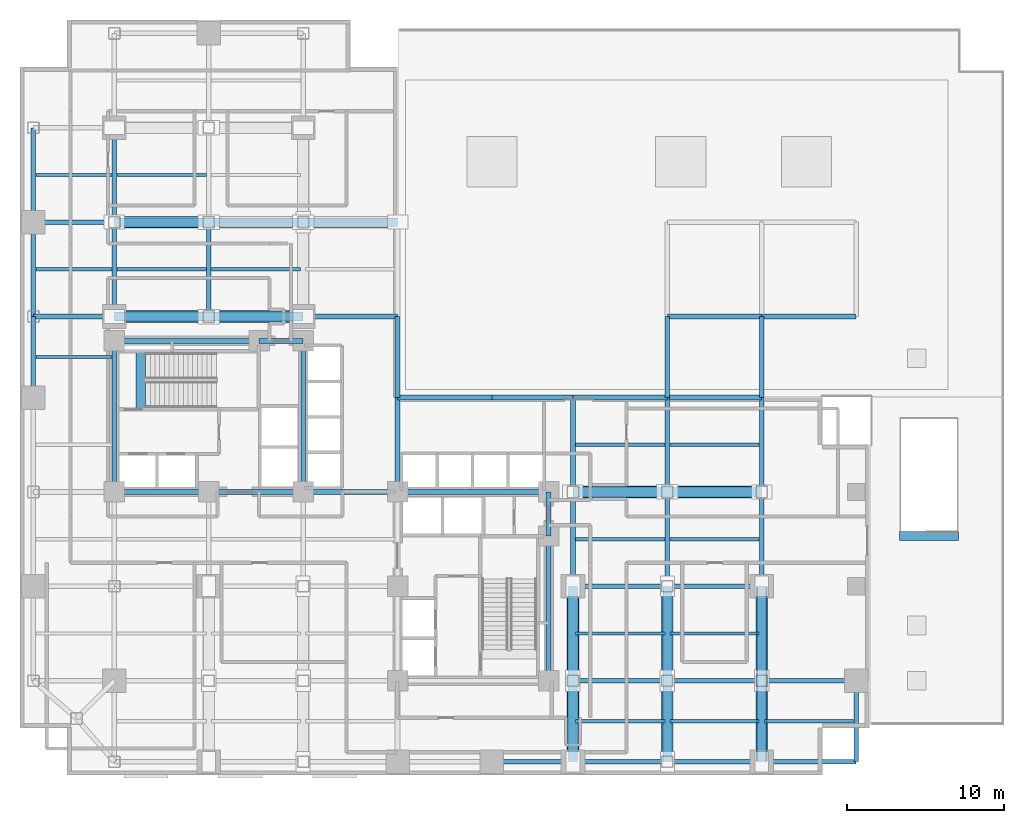
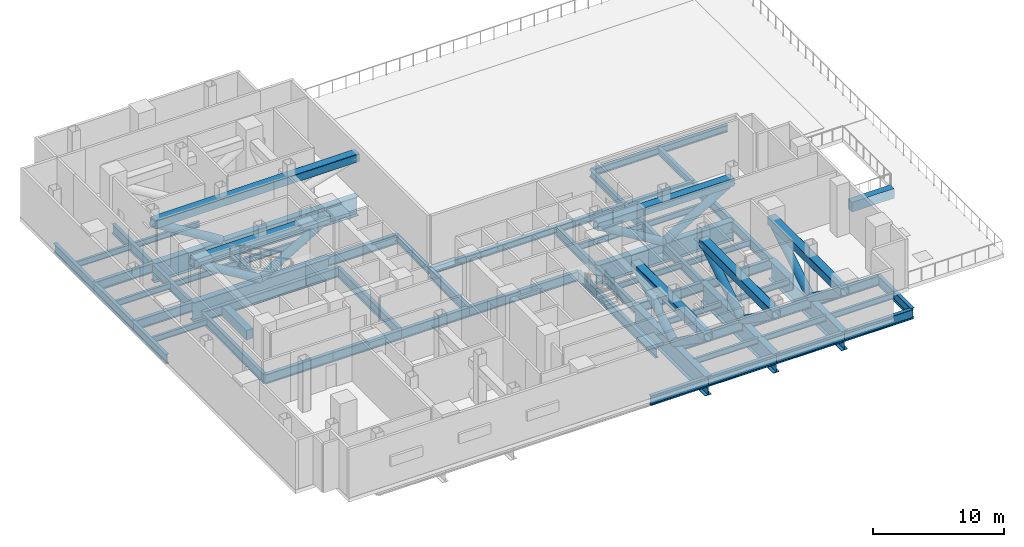
# One storey, part 2 of 8: 68 beams, 17 members.
"""IFC4 building model written with IfcOpenShell, lengths in metres."""

from ifc_helpers import new_model, si_unit, direction, frame, origin, origin_2d, place, context, subcontext, project, spatial, rectangle, hollow_rectangle, hollow_circle, i_section, extrude, material, material_profile, profile_set, type_object, element, save


model = new_model("IFC4")

# Units and contexts
model_context = context("Model", 3, precision=1e-05, world=origin(), true_north=direction((0.0, 1.0)))
body_context = subcontext(model_context, "Body", "Model", "MODEL_VIEW")
ifc_project = project(units=[si_unit("LENGTHUNIT", "METRE"), si_unit("AREAUNIT", "SQUARE_METRE"), si_unit("VOLUMEUNIT", "CUBIC_METRE"), si_unit("PLANEANGLEUNIT", "RADIAN"), si_unit("MASSUNIT", "GRAM", prefix="KILO"), si_unit("THERMODYNAMICTEMPERATUREUNIT", "KELVIN"), si_unit("POWERUNIT", "WATT")], contexts=[model_context])

# Site, building, storey
site_placement = place(None, origin())
site = spatial("IfcSite", under=ifc_project, at=site_placement, CompositionType="ELEMENT")
building_placement = place(site_placement, origin())
building = spatial("IfcBuilding", under=site, at=building_placement, Name="Svarakhadi Broadcast Tower", CompositionType="ELEMENT")
storey_placement = place(building_placement, frame((0.0, 0.0, 27.60009765625)))
storey = spatial("IfcBuildingStorey", under=building, at=storey_placement, Name="L05", CompositionType="ELEMENT", Elevation=27.60009765625)

# Beams
ifc_material_1 = material(Name="Steel S355J2 (IS 2062 E350C)", Category="steel")
ifc_material_profile_1 = material_profile(ifc_material_1, i_section(OverallWidth=0.2099609375, OverallDepth=0.550048828125, WebThickness=0.010986328125, FlangeThickness=0.01708984375, FilletRadius=0.02392578125, at=origin_2d()), Name="NPB 550x210x106")
ifc_profile_set_1 = profile_set([ifc_material_profile_1], Name="Steel S355J2 (IS 2062 E350C)")
beam_type_1 = type_object("IfcBeamType", Name="Beam_NPB550", PredefinedType="BEAM", material=ifc_profile_set_1)
for number, where, z_axis, x_axis, name in (
    (1, (1.010009765625, 26.574951171875, -0.625), (1.0, 0.0, 0.0), (0.0, 1.0, 0.0), "L05 Secondary Composite Beam SB004"),
    (2, (1.010009765625, 32.14990234375, -0.625), (1.0, 0.0, 0.0), (0.0, 1.0, 0.0), "L05 Secondary Composite Beam SB005"),
    (3, (1.010009765625, 38.14990234375, -0.625), (1.0, 0.0, 0.0), (0.0, 1.0, 0.0), "L05 Secondary Composite Beam SB006"),
):
    element("IfcBeam", number, at=place(storey_placement, frame(where, z_axis=z_axis, x_axis=x_axis)), inside=storey, type_object=beam_type_1, Name=name, PredefinedType="BEAM", context=body_context, shape_type="SweptSolid", body=[
        extrude(i_section(OverallWidth=0.2099609375, OverallDepth=0.550048828125, WebThickness=0.010986328125, FlangeThickness=0.01708984375, FilletRadius=0.02392578125, at=origin_2d()), origin(), (0.0, 0.0, 1.0), 4.830078125),
    ])
for number, where, z_axis, x_axis, name in (
    (4, (6.159912109375, 32.14990234375, -0.625), (1.0, 0.0, 0.0), (0.0, 1.0, 0.0), "L05 Secondary Composite Beam SB010"),
    (5, (6.159912109375, 38.14990234375, -0.625), (1.0, 0.0, 0.0), (0.0, 1.0, 0.0), "L05 Secondary Composite Beam SB011"),
    (6, (12.159912109375, 32.14990234375, -0.625), (1.0, 0.0, 0.0), (0.0, 1.0, 0.0), "L05 Secondary Composite Beam SB016"),
):
    element("IfcBeam", number, at=place(storey_placement, frame(where, z_axis=z_axis, x_axis=x_axis)), inside=storey, type_object=beam_type_1, Name=name, PredefinedType="BEAM", context=body_context, shape_type="SweptSolid", body=[
        extrude(i_section(OverallWidth=0.2099609375, OverallDepth=0.550048828125, WebThickness=0.010986328125, FlangeThickness=0.01708984375, FilletRadius=0.02392578125, at=origin_2d()), origin(), (0.0, 0.0, 1.0), 5.68017578125),
    ])
for number, where, z_axis, x_axis, name in (
    (7, (35.31005859375, 3.425048828125, -0.625), (1.0, 0.0, 0.0), (0.0, 1.0, 0.0), "L05 Secondary Composite Beam SB023"),
    (8, (35.31005859375, 9.0, -0.625), (1.0, 0.0, 0.0), (0.0, 1.0, 0.0), "L05 Secondary Composite Beam SB024"),
    (9, (35.31005859375, 15.0, -0.625), (1.0, 0.0, 0.0), (0.0, 1.0, 0.0), "L05 Secondary Composite Beam SB025"),
    (10, (35.31005859375, 21.0, -0.625), (1.0, 0.0, 0.0), (0.0, 1.0, 0.0), "L05 Secondary Composite Beam SB026"),
    (11, (41.31005859375, 3.425048828125, -0.625), (1.0, 0.0, 0.0), (0.0, 1.0, 0.0), "L05 Secondary Composite Beam SB027"),
    (12, (41.31005859375, 9.0, -0.625), (1.0, 0.0, 0.0), (0.0, 1.0, 0.0), "L05 Secondary Composite Beam SB028"),
    (13, (41.31005859375, 15.0, -0.625), (1.0, 0.0, 0.0), (0.0, 1.0, 0.0), "L05 Secondary Composite Beam SB029"),
    (14, (41.31005859375, 21.0, -0.625), (1.0, 0.0, 0.0), (0.0, 1.0, 0.0), "L05 Secondary Composite Beam SB030"),
    (15, (47.31005859375, 3.425048828125, -0.625), (1.0, 0.0, 0.0), (0.0, 1.0, 0.0), "L05 Secondary Composite Beam SB031"),
):
    element("IfcBeam", number, at=place(storey_placement, frame(where, z_axis=z_axis, x_axis=x_axis)), inside=storey, type_object=beam_type_1, Name=name, PredefinedType="BEAM", context=body_context, shape_type="SweptSolid", body=[
        extrude(i_section(OverallWidth=0.2099609375, OverallDepth=0.550048828125, WebThickness=0.010986328125, FlangeThickness=0.01708984375, FilletRadius=0.02392578125, at=origin_2d()), origin(), (0.0, 0.0, 1.0), 5.679931640625),
    ])
ifc_material_2 = material(Name="Concrete C50/60 (IS 456 M60)", Category="concrete")
ifc_material_profile_2 = material_profile(ifc_material_2, rectangle(XDim=0.60009765625, YDim=0.89990234375, at=origin_2d()), Name="RC 600x900")
ifc_profile_set_2 = profile_set([ifc_material_profile_2], Name="Concrete C50/60 (IS 456 M60)")
beam_type_2 = type_object("IfcBeamType", Name="Coupling_RC600", PredefinedType="USERDEFINED", material=ifc_profile_set_2)
beam_1_placement = place(storey_placement, frame((7.679931640625, 23.260009765625, -0.4501953125), z_axis=(0.0, 1.0, 0.0), x_axis=(-1.0, 0.0, 0.0)))
element("IfcBeam", 16, at=beam_1_placement, inside=storey, type_object=beam_type_2, Name="L05 Stair ST-01 Landing Throat Trimmer Beam CB-01", ObjectType="GIRDER", PredefinedType="USERDEFINED", context=body_context, shape_type="SweptSolid", body=[
    extrude(rectangle(XDim=0.60009765625, YDim=0.89990234375, at=origin_2d()), origin(), (0.0, 0.0, 1.0), 3.679931640625),
])
beam_2_placement = place(storey_placement, frame((55.89990234375, 15.199951171875, -0.4501953125), z_axis=(1.0, 0.0, 0.0), x_axis=(0.0, 1.0, 0.0)))
element("IfcBeam", 17, at=beam_2_placement, inside=storey, type_object=beam_type_2, Name="L05 Stair ST-04 Landing Throat Trimmer Beam CB-01", ObjectType="GIRDER", PredefinedType="USERDEFINED", context=body_context, shape_type="SweptSolid", body=[
    extrude(rectangle(XDim=0.60009765625, YDim=0.89990234375, at=origin_2d()), origin(), (0.0, 0.0, 1.0), 3.760009765625),
])
ifc_material_profile_3 = material_profile(ifc_material_1, i_section(OverallWidth=0.300048828125, OverallDepth=0.64990234375, WebThickness=0.01611328125, FlangeThickness=0.031005859375, FilletRadius=0.027099609375, at=origin_2d()), Name="WPB 650x300x225")
ifc_profile_set_3 = profile_set([ifc_material_profile_3], Name="Steel S355J2 (IS 2062 E350C)")
beam_type_3 = type_object("IfcBeamType", Name="Girder_WPB650", PredefinedType="USERDEFINED", material=ifc_profile_set_3)
beam_3_placement = place(storey_placement, frame((24.0, 24.0, -0.675048828125), z_axis=(1.0, 0.0, 0.0), x_axis=(0.0, 1.0, 0.0)))
element("IfcBeam", 18, at=beam_3_placement, inside=storey, type_object=beam_type_3, Name="L05 Podium Terrace Girder PTG001", ObjectType="GIRDER", PredefinedType="USERDEFINED", context=body_context, shape_type="SweptSolid", body=[
    extrude(i_section(OverallWidth=0.300048828125, OverallDepth=0.64990234375, WebThickness=0.01611328125, FlangeThickness=0.031005859375, FilletRadius=0.027099609375, at=origin_2d()), origin(), (0.0, 0.0, 1.0), 6.0),
])
beam_4_placement = place(storey_placement, frame((30.0, 24.0, -0.675048828125), z_axis=(1.0, 0.0, 0.0), x_axis=(0.0, 1.0, 0.0)))
element("IfcBeam", 19, at=beam_4_placement, inside=storey, type_object=beam_type_3, Name="L05 Podium Terrace Girder PTG002", ObjectType="GIRDER", PredefinedType="USERDEFINED", context=body_context, shape_type="SweptSolid", body=[
    extrude(i_section(OverallWidth=0.300048828125, OverallDepth=0.64990234375, WebThickness=0.01611328125, FlangeThickness=0.031005859375, FilletRadius=0.027099609375, at=origin_2d()), origin(), (0.0, 0.0, 1.0), 5.14990234375),
])
for number, where, z_axis, x_axis, name in (
    (20, (35.14990234375, 24.0, -0.675048828125), (1.0, 0.0, 0.0), (0.0, 1.0, 0.0), "L05 Podium Terrace Girder PTG003"),
    (21, (41.14990234375, 24.0, -0.675048828125), (1.0, 0.0, 0.0), (0.0, 1.0, 0.0), "L05 Podium Terrace Girder PTG004"),
    (22, (41.14990234375, 29.14990234375, -0.675048828125), (1.0, 0.0, 0.0), (0.0, 1.0, 0.0), "L05 Podium Terrace Girder PTG005"),
    (23, (47.14990234375, 29.14990234375, -0.675048828125), (1.0, 0.0, 0.0), (0.0, 1.0, 0.0), "L05 Podium Terrace Girder PTG006"),
):
    element("IfcBeam", number, at=place(storey_placement, frame(where, z_axis=z_axis, x_axis=x_axis)), inside=storey, type_object=beam_type_3, Name=name, ObjectType="GIRDER", PredefinedType="USERDEFINED", context=body_context, shape_type="SweptSolid", body=[
        extrude(i_section(OverallWidth=0.300048828125, OverallDepth=0.64990234375, WebThickness=0.01611328125, FlangeThickness=0.031005859375, FilletRadius=0.027099609375, at=origin_2d()), origin(), (0.0, 0.0, 1.0), 6.0),
    ])
for number, where, z_axis, x_axis, name in (
    (24, (24.0, 24.0, -0.675048828125), (0.0, 1.0, 0.0), (-1.0, 0.0, 0.0), "L05 Podium Terrace Girder PTG009"),
    (25, (41.14990234375, 24.0, -0.675048828125), (0.0, 1.0, 0.0), (-1.0, 0.0, 0.0), "L05 Podium Terrace Girder PTG011"),
    (26, (47.14990234375, 24.0, -0.675048828125), (0.0, 1.0, 0.0), (-1.0, 0.0, 0.0), "L05 Podium Terrace Girder PTG013"),
):
    element("IfcBeam", number, at=place(storey_placement, frame(where, z_axis=z_axis, x_axis=x_axis)), inside=storey, type_object=beam_type_3, Name=name, ObjectType="GIRDER", PredefinedType="USERDEFINED", context=body_context, shape_type="SweptSolid", body=[
        extrude(i_section(OverallWidth=0.300048828125, OverallDepth=0.64990234375, WebThickness=0.01611328125, FlangeThickness=0.031005859375, FilletRadius=0.027099609375, at=origin_2d()), origin(), (0.0, 0.0, 1.0), 5.14990234375),
    ])
ifc_material_3 = material(Name="Steel S460ML (IS 2062 E450BR)", Category="steel")
ifc_material_profile_4 = material_profile(ifc_material_3, i_section(OverallWidth=0.300048828125, OverallDepth=0.89990234375, WebThickness=0.0185546875, FlangeThickness=0.034912109375, FilletRadius=0.030029296875, at=origin_2d()), Name="WPB 900x300x291")
ifc_profile_set_4 = profile_set([ifc_material_profile_4], Name="Steel S460ML (IS 2062 E450BR)")
beam_type_4 = type_object("IfcBeamType", Name="Girder_WPB900", PredefinedType="USERDEFINED", material=ifc_profile_set_4)
beam_5_placement = place(storey_placement, frame((30.0, 0.85009765625, -0.800048828125), z_axis=(1.0, 0.0, 0.0), x_axis=(0.0, 1.0, 0.0)))
element("IfcBeam", 27, at=beam_5_placement, inside=storey, type_object=beam_type_4, Name="L05 Primary E-W Girder G008", ObjectType="GIRDER", PredefinedType="USERDEFINED", context=body_context, shape_type="SweptSolid", body=[
    extrude(i_section(OverallWidth=0.300048828125, OverallDepth=0.89990234375, WebThickness=0.0185546875, FlangeThickness=0.034912109375, FilletRadius=0.030029296875, at=origin_2d()), origin(), (0.0, 0.0, 1.0), 5.14990234375),
])
for number, where, z_axis, x_axis, name in (
    (28, (35.14990234375, 0.85009765625, -0.800048828125), (1.0, 0.0, 0.0), (0.0, 1.0, 0.0), "L05 Primary E-W Girder G009"),
    (29, (41.14990234375, 0.85009765625, -0.800048828125), (1.0, 0.0, 0.0), (0.0, 1.0, 0.0), "L05 Primary E-W Girder G010"),
    (30, (47.14990234375, 0.85009765625, -0.800048828125), (1.0, 0.0, 0.0), (0.0, 1.0, 0.0), "L05 Primary E-W Girder G011"),
    (31, (35.14990234375, 6.0, -0.800048828125), (1.0, 0.0, 0.0), (0.0, 1.0, 0.0), "L05 Primary E-W Girder G017"),
    (32, (41.14990234375, 6.0, -0.800048828125), (1.0, 0.0, 0.0), (0.0, 1.0, 0.0), "L05 Primary E-W Girder G018"),
    (33, (47.14990234375, 6.0, -0.800048828125), (1.0, 0.0, 0.0), (0.0, 1.0, 0.0), "L05 Primary E-W Girder G019"),
    (34, (35.14990234375, 12.0, -0.800048828125), (1.0, 0.0, 0.0), (0.0, 1.0, 0.0), "L05 Primary E-W Girder G024"),
    (35, (41.14990234375, 12.0, -0.800048828125), (1.0, 0.0, 0.0), (0.0, 1.0, 0.0), "L05 Primary E-W Girder G025"),
    (36, (6.0, 18.0, -0.800048828125), (1.0, 0.0, 0.0), (0.0, 1.0, 0.0), "L05 Primary E-W Girder G027"),
    (37, (12.0, 18.0, -0.800048828125), (1.0, 0.0, 0.0), (0.0, 1.0, 0.0), "L05 Primary E-W Girder G028"),
    (38, (18.0, 18.0, -0.800048828125), (1.0, 0.0, 0.0), (0.0, 1.0, 0.0), "L05 Primary E-W Girder G029"),
):
    element("IfcBeam", number, at=place(storey_placement, frame(where, z_axis=z_axis, x_axis=x_axis)), inside=storey, type_object=beam_type_4, Name=name, ObjectType="GIRDER", PredefinedType="USERDEFINED", context=body_context, shape_type="SweptSolid", body=[
        extrude(i_section(OverallWidth=0.300048828125, OverallDepth=0.89990234375, WebThickness=0.0185546875, FlangeThickness=0.034912109375, FilletRadius=0.030029296875, at=origin_2d()), origin(), (0.0, 0.0, 1.0), 6.0),
    ])
beam_6_placement = place(storey_placement, frame((24.0, 18.0, -0.800048828125), z_axis=(1.0, 0.0, 0.0), x_axis=(0.0, 1.0, 0.0)))
element("IfcBeam", 39, at=beam_6_placement, inside=storey, type_object=beam_type_4, Name="L05 Primary E-W Girder G030", ObjectType="GIRDER", PredefinedType="USERDEFINED", context=body_context, shape_type="SweptSolid", body=[
    extrude(i_section(OverallWidth=0.300048828125, OverallDepth=0.89990234375, WebThickness=0.0185546875, FlangeThickness=0.034912109375, FilletRadius=0.030029296875, at=origin_2d()), origin(), (0.0, 0.0, 1.0), 9.60009765625),
])
beam_7_placement = place(storey_placement, frame((6.0, 27.60009765625, -0.800048828125), z_axis=(1.0, 0.0, 0.0), x_axis=(0.0, 1.0, 0.0)))
element("IfcBeam", 40, at=beam_7_placement, inside=storey, type_object=beam_type_4, Name="L05 Primary E-W Girder G033", ObjectType="GIRDER", PredefinedType="USERDEFINED", context=body_context, shape_type="SweptSolid", body=[
    extrude(i_section(OverallWidth=0.300048828125, OverallDepth=0.89990234375, WebThickness=0.0185546875, FlangeThickness=0.034912109375, FilletRadius=0.030029296875, at=origin_2d()), origin(), (0.0, 0.0, 1.0), 9.199951171875),
])
beam_8_placement = place(storey_placement, frame((15.199951171875, 27.60009765625, -0.800048828125), z_axis=(1.0, 0.0, 0.0), x_axis=(0.0, 1.0, 0.0)))
element("IfcBeam", 41, at=beam_8_placement, inside=storey, type_object=beam_type_4, Name="L05 Primary E-W Girder G034", ObjectType="GIRDER", PredefinedType="USERDEFINED", context=body_context, shape_type="SweptSolid", body=[
    extrude(i_section(OverallWidth=0.300048828125, OverallDepth=0.89990234375, WebThickness=0.0185546875, FlangeThickness=0.034912109375, FilletRadius=0.030029296875, at=origin_2d()), origin(), (0.0, 0.0, 1.0), 2.800048828125),
])
beam_9_placement = place(storey_placement, frame((0.85009765625, 29.14990234375, -0.800048828125), z_axis=(1.0, 0.0, 0.0), x_axis=(0.0, 1.0, 0.0)))
element("IfcBeam", 42, at=beam_9_placement, inside=storey, type_object=beam_type_4, Name="L05 Primary E-W Girder G035", ObjectType="GIRDER", PredefinedType="USERDEFINED", context=body_context, shape_type="SweptSolid", body=[
    extrude(i_section(OverallWidth=0.300048828125, OverallDepth=0.89990234375, WebThickness=0.0185546875, FlangeThickness=0.034912109375, FilletRadius=0.030029296875, at=origin_2d()), origin(), (0.0, 0.0, 1.0), 5.14990234375),
])
beam_10_placement = place(storey_placement, frame((18.0, 29.14990234375, -0.800048828125), z_axis=(1.0, 0.0, 0.0), x_axis=(0.0, 1.0, 0.0)))
element("IfcBeam", 43, at=beam_10_placement, inside=storey, type_object=beam_type_4, Name="L05 Primary E-W Girder G038", ObjectType="GIRDER", PredefinedType="USERDEFINED", context=body_context, shape_type="SweptSolid", body=[
    extrude(i_section(OverallWidth=0.300048828125, OverallDepth=0.89990234375, WebThickness=0.0185546875, FlangeThickness=0.034912109375, FilletRadius=0.030029296875, at=origin_2d()), origin(), (0.0, 0.0, 1.0), 6.0),
])
for number, where, z_axis, x_axis, name in (
    (44, (0.85009765625, 35.14990234375, -0.800048828125), (1.0, 0.0, 0.0), (0.0, 1.0, 0.0), "L05 Primary E-W Girder G039"),
    (45, (0.85009765625, 24.0, -0.800048828125), (0.0, 1.0, 0.0), (-1.0, 0.0, 0.0), "L05 Primary N-S Girder G051"),
):
    element("IfcBeam", number, at=place(storey_placement, frame(where, z_axis=z_axis, x_axis=x_axis)), inside=storey, type_object=beam_type_4, Name=name, ObjectType="GIRDER", PredefinedType="USERDEFINED", context=body_context, shape_type="SweptSolid", body=[
        extrude(i_section(OverallWidth=0.300048828125, OverallDepth=0.89990234375, WebThickness=0.0185546875, FlangeThickness=0.034912109375, FilletRadius=0.030029296875, at=origin_2d()), origin(), (0.0, 0.0, 1.0), 5.14990234375),
    ])
for number, where, z_axis, x_axis, name in (
    (46, (0.85009765625, 29.14990234375, -0.800048828125), (0.0, 1.0, 0.0), (-1.0, 0.0, 0.0), "L05 Primary N-S Girder G052"),
    (47, (0.85009765625, 35.14990234375, -0.800048828125), (0.0, 1.0, 0.0), (-1.0, 0.0, 0.0), "L05 Primary N-S Girder G053"),
):
    element("IfcBeam", number, at=place(storey_placement, frame(where, z_axis=z_axis, x_axis=x_axis)), inside=storey, type_object=beam_type_4, Name=name, ObjectType="GIRDER", PredefinedType="USERDEFINED", context=body_context, shape_type="SweptSolid", body=[
        extrude(i_section(OverallWidth=0.300048828125, OverallDepth=0.89990234375, WebThickness=0.0185546875, FlangeThickness=0.034912109375, FilletRadius=0.030029296875, at=origin_2d()), origin(), (0.0, 0.0, 1.0), 6.0),
    ])
beam_11_placement = place(storey_placement, frame((6.0, 18.0, -0.800048828125), z_axis=(0.0, 1.0, 0.0), x_axis=(-1.0, 0.0, 0.0)))
element("IfcBeam", 48, at=beam_11_placement, inside=storey, type_object=beam_type_4, Name="L05 Primary N-S Girder G057", ObjectType="GIRDER", PredefinedType="USERDEFINED", context=body_context, shape_type="SweptSolid", body=[
    extrude(i_section(OverallWidth=0.300048828125, OverallDepth=0.89990234375, WebThickness=0.0185546875, FlangeThickness=0.034912109375, FilletRadius=0.030029296875, at=origin_2d()), origin(), (0.0, 0.0, 1.0), 9.60009765625),
])
for number, where, z_axis, x_axis, name in (
    (49, (6.0, 29.14990234375, -0.800048828125), (0.0, 1.0, 0.0), (-1.0, 0.0, 0.0), "L05 Primary N-S Girder G058"),
    (50, (6.0, 35.14990234375, -0.800048828125), (0.0, 1.0, 0.0), (-1.0, 0.0, 0.0), "L05 Primary N-S Girder G059"),
    (51, (12.0, 29.14990234375, -0.800048828125), (0.0, 1.0, 0.0), (-1.0, 0.0, 0.0), "L05 Primary N-S Girder G064"),
):
    element("IfcBeam", number, at=place(storey_placement, frame(where, z_axis=z_axis, x_axis=x_axis)), inside=storey, type_object=beam_type_4, Name=name, ObjectType="GIRDER", PredefinedType="USERDEFINED", context=body_context, shape_type="SweptSolid", body=[
        extrude(i_section(OverallWidth=0.300048828125, OverallDepth=0.89990234375, WebThickness=0.0185546875, FlangeThickness=0.034912109375, FilletRadius=0.030029296875, at=origin_2d()), origin(), (0.0, 0.0, 1.0), 6.0),
    ])
beam_12_placement = place(storey_placement, frame((18.0, 18.0, -0.800048828125), z_axis=(0.0, 1.0, 0.0), x_axis=(-1.0, 0.0, 0.0)))
element("IfcBeam", 52, at=beam_12_placement, inside=storey, type_object=beam_type_4, Name="L05 Primary N-S Girder G070", ObjectType="GIRDER", PredefinedType="USERDEFINED", context=body_context, shape_type="SweptSolid", body=[
    extrude(i_section(OverallWidth=0.300048828125, OverallDepth=0.89990234375, WebThickness=0.0185546875, FlangeThickness=0.034912109375, FilletRadius=0.030029296875, at=origin_2d()), origin(), (0.0, 0.0, 1.0), 9.60009765625),
])
beam_13_placement = place(storey_placement, frame((24.0, 18.0, -0.800048828125), z_axis=(0.0, 1.0, 0.0), x_axis=(-1.0, 0.0, 0.0)))
element("IfcBeam", 53, at=beam_13_placement, inside=storey, type_object=beam_type_4, Name="L05 Primary N-S Girder G077", ObjectType="GIRDER", PredefinedType="USERDEFINED", context=body_context, shape_type="SweptSolid", body=[
    extrude(i_section(OverallWidth=0.300048828125, OverallDepth=0.89990234375, WebThickness=0.0185546875, FlangeThickness=0.034912109375, FilletRadius=0.030029296875, at=origin_2d()), origin(), (0.0, 0.0, 1.0), 6.0),
])
beam_14_placement = place(storey_placement, frame((33.60009765625, 6.0, -0.800048828125), z_axis=(0.0, 1.0, 0.0), x_axis=(-1.0, 0.0, 0.0)))
element("IfcBeam", 54, at=beam_14_placement, inside=storey, type_object=beam_type_4, Name="L05 Primary N-S Girder G078", ObjectType="GIRDER", PredefinedType="USERDEFINED", context=body_context, shape_type="SweptSolid", body=[
    extrude(i_section(OverallWidth=0.300048828125, OverallDepth=0.89990234375, WebThickness=0.0185546875, FlangeThickness=0.034912109375, FilletRadius=0.030029296875, at=origin_2d()), origin(), (0.0, 0.0, 1.0), 9.199951171875),
])
beam_15_placement = place(storey_placement, frame((33.60009765625, 15.199951171875, -0.800048828125), z_axis=(0.0, 1.0, 0.0), x_axis=(-1.0, 0.0, 0.0)))
element("IfcBeam", 55, at=beam_15_placement, inside=storey, type_object=beam_type_4, Name="L05 Primary N-S Girder G079", ObjectType="GIRDER", PredefinedType="USERDEFINED", context=body_context, shape_type="SweptSolid", body=[
    extrude(i_section(OverallWidth=0.300048828125, OverallDepth=0.89990234375, WebThickness=0.0185546875, FlangeThickness=0.034912109375, FilletRadius=0.030029296875, at=origin_2d()), origin(), (0.0, 0.0, 1.0), 2.800048828125),
])
for number, where, z_axis, x_axis, name in (
    (56, (35.14990234375, 12.0, -0.800048828125), (0.0, 1.0, 0.0), (-1.0, 0.0, 0.0), "L05 Primary N-S Girder G082"),
    (57, (35.14990234375, 18.0, -0.800048828125), (0.0, 1.0, 0.0), (-1.0, 0.0, 0.0), "L05 Primary N-S Girder G083"),
    (58, (41.14990234375, 12.0, -0.800048828125), (0.0, 1.0, 0.0), (-1.0, 0.0, 0.0), "L05 Primary N-S Girder G086"),
    (59, (41.14990234375, 18.0, -0.800048828125), (0.0, 1.0, 0.0), (-1.0, 0.0, 0.0), "L05 Primary N-S Girder G087"),
    (60, (47.14990234375, 12.0, -0.800048828125), (0.0, 1.0, 0.0), (-1.0, 0.0, 0.0), "L05 Primary N-S Girder G090"),
    (61, (47.14990234375, 18.0, -0.800048828125), (0.0, 1.0, 0.0), (-1.0, 0.0, 0.0), "L05 Primary N-S Girder G091"),
):
    element("IfcBeam", number, at=place(storey_placement, frame(where, z_axis=z_axis, x_axis=x_axis)), inside=storey, type_object=beam_type_4, Name=name, ObjectType="GIRDER", PredefinedType="USERDEFINED", context=body_context, shape_type="SweptSolid", body=[
        extrude(i_section(OverallWidth=0.300048828125, OverallDepth=0.89990234375, WebThickness=0.0185546875, FlangeThickness=0.034912109375, FilletRadius=0.030029296875, at=origin_2d()), origin(), (0.0, 0.0, 1.0), 6.0),
    ])
beam_16_placement = place(storey_placement, frame((53.14990234375, 0.85009765625, -0.800048828125), z_axis=(0.0, 1.0, 0.0), x_axis=(-1.0, 0.0, 0.0)))
element("IfcBeam", 62, at=beam_16_placement, inside=storey, type_object=beam_type_4, Name="L05 Primary N-S Girder G092", ObjectType="GIRDER", PredefinedType="USERDEFINED", context=body_context, shape_type="SweptSolid", body=[
    extrude(i_section(OverallWidth=0.300048828125, OverallDepth=0.89990234375, WebThickness=0.0185546875, FlangeThickness=0.034912109375, FilletRadius=0.030029296875, at=origin_2d()), origin(), (0.0, 0.0, 1.0), 5.14990234375),
])

# Members
ifc_material_profile_5 = material_profile(ifc_material_3, hollow_circle(Radius=0.35546875, WallThickness=0.034912109375, at=origin_2d()), Name="CHS 711x35")
ifc_profile_set_5 = profile_set([ifc_material_profile_5], Name="Steel S460ML (IS 2062 E450BR)")
member_type_1 = type_object("IfcMemberType", Name="Outrigger_Brace_OT01", PredefinedType="BRACE", material=ifc_profile_set_5)
for number, where, z_axis, x_axis, name in (
    (63, (6.0, 29.14990234375, 3.2998046875), (0.854342179237, 0.0, -0.519710920394), (0.0, 1.0, 0.0), "L05 Podium Transfer Truss Diagonal TD-02A"),
    (64, (18.0, 29.14990234375, 3.2998046875), (-0.854342179237, 0.0, -0.519710920394), (0.0, -1.0, 0.0), "L05 Podium Transfer Truss Diagonal TD-02B"),
    (65, (6.0, 35.14990234375, 3.2998046875), (0.854342179237, 0.0, -0.519710920394), (0.0, 1.0, 0.0), "L05 Podium Transfer Truss Diagonal TD-03A"),
):
    element("IfcMember", number, at=place(storey_placement, frame(where, z_axis=z_axis, x_axis=x_axis)), inside=storey, type_object=member_type_1, Name=name, PredefinedType="BRACE", context=body_context, shape_type="SweptSolid", body=[
        extrude(hollow_circle(Radius=0.35546875, WallThickness=0.034912109375, at=origin_2d()), origin(), (0.0, 0.0, 1.0), 7.02294921875),
    ])
member_1_placement = place(storey_placement, frame((35.14990234375, 0.85009765625, 3.2998046875), z_axis=(0.0, 0.815870903417, -0.578234095292), x_axis=(-1.0, 0.0, 0.0)))
element("IfcMember", 66, at=member_1_placement, inside=storey, type_object=member_type_1, Name="L05 Podium Transfer Truss Diagonal TD-07A", PredefinedType="BRACE", context=body_context, shape_type="SweptSolid", body=[
    extrude(hollow_circle(Radius=0.35546875, WallThickness=0.034912109375, at=origin_2d()), origin(), (0.0, 0.0, 1.0), 6.312255859375),
])
member_2_placement = place(storey_placement, frame((35.14990234375, 12.0, 3.2998046875), z_axis=(0.0, -0.854342179237, -0.519710920394), x_axis=(1.0, 0.0, 0.0)))
element("IfcMember", 67, at=member_2_placement, inside=storey, type_object=member_type_1, Name="L05 Podium Transfer Truss Diagonal TD-07B", PredefinedType="BRACE", context=body_context, shape_type="SweptSolid", body=[
    extrude(hollow_circle(Radius=0.35546875, WallThickness=0.034912109375, at=origin_2d()), origin(), (0.0, 0.0, 1.0), 7.02294921875),
])
member_3_placement = place(storey_placement, frame((41.14990234375, 0.85009765625, 3.2998046875), z_axis=(0.0, 0.815870903417, -0.578234095292), x_axis=(-1.0, 0.0, 0.0)))
element("IfcMember", 68, at=member_3_placement, inside=storey, type_object=member_type_1, Name="L05 Podium Transfer Truss Diagonal TD-08A", PredefinedType="BRACE", context=body_context, shape_type="SweptSolid", body=[
    extrude(hollow_circle(Radius=0.35546875, WallThickness=0.034912109375, at=origin_2d()), origin(), (0.0, 0.0, 1.0), 6.312255859375),
])
for number, where, z_axis, x_axis, name in (
    (69, (41.14990234375, 12.0, 3.2998046875), (0.0, -0.854342179237, -0.519710920394), (1.0, 0.0, 0.0), "L05 Podium Transfer Truss Diagonal TD-08B"),
    (70, (35.14990234375, 18.0, 3.2998046875), (0.854342179237, 0.0, -0.519710920394), (0.0, 1.0, 0.0), "L05 Podium Transfer Truss Diagonal TD-09A"),
    (71, (47.14990234375, 18.0, 3.2998046875), (-0.854342179237, 0.0, -0.519710920394), (0.0, -1.0, 0.0), "L05 Podium Transfer Truss Diagonal TD-09B"),
):
    element("IfcMember", number, at=place(storey_placement, frame(where, z_axis=z_axis, x_axis=x_axis)), inside=storey, type_object=member_type_1, Name=name, PredefinedType="BRACE", context=body_context, shape_type="SweptSolid", body=[
        extrude(hollow_circle(Radius=0.35546875, WallThickness=0.034912109375, at=origin_2d()), origin(), (0.0, 0.0, 1.0), 7.02294921875),
    ])
member_4_placement = place(storey_placement, frame((47.14990234375, 0.85009765625, 3.2998046875), z_axis=(0.0, 0.815870903417, -0.578234095292), x_axis=(-1.0, 0.0, 0.0)))
element("IfcMember", 72, at=member_4_placement, inside=storey, type_object=member_type_1, Name="L05 Podium Transfer Truss Diagonal TD-10A", PredefinedType="BRACE", context=body_context, shape_type="SweptSolid", body=[
    extrude(hollow_circle(Radius=0.35546875, WallThickness=0.034912109375, at=origin_2d()), origin(), (0.0, 0.0, 1.0), 6.312255859375),
])
member_5_placement = place(storey_placement, frame((47.14990234375, 12.0, 3.2998046875), z_axis=(0.0, -0.854342179237, -0.519710920394), x_axis=(1.0, 0.0, 0.0)))
element("IfcMember", 73, at=member_5_placement, inside=storey, type_object=member_type_1, Name="L05 Podium Transfer Truss Diagonal TD-10B", PredefinedType="BRACE", context=body_context, shape_type="SweptSolid", body=[
    extrude(hollow_circle(Radius=0.35546875, WallThickness=0.034912109375, at=origin_2d()), origin(), (0.0, 0.0, 1.0), 7.02294921875),
])

# Beams
ifc_material_profile_6 = material_profile(ifc_material_3, i_section(OverallWidth=0.550048828125, OverallDepth=1.800048828125, WebThickness=0.028076171875, FlangeThickness=0.044921875, at=origin_2d()), Name="PG 1800x550x45")
ifc_profile_set_6 = profile_set([ifc_material_profile_6], Name="Steel S460ML (IS 2062 E450BR)")
beam_type_5 = type_object("IfcBeamType", Name="Transfer_Girder_TG01", PredefinedType="USERDEFINED", material=ifc_profile_set_6)
beam_17_placement = place(storey_placement, frame((6.0, 29.14990234375, -1.25), z_axis=(1.0, 0.0, 0.0), x_axis=(0.0, 1.0, 0.0)))
element("IfcBeam", 74, at=beam_17_placement, inside=storey, type_object=beam_type_5, Name="L05 Studio Transfer Girder TG-01-02", ObjectType="GIRDER", PredefinedType="USERDEFINED", context=body_context, shape_type="SweptSolid", body=[
    extrude(i_section(OverallWidth=0.550048828125, OverallDepth=1.800048828125, WebThickness=0.028076171875, FlangeThickness=0.044921875, at=origin_2d()), origin(), (0.0, 0.0, 1.0), 12.0),
])
beam_18_placement = place(storey_placement, frame((6.0, 35.14990234375, -1.25), z_axis=(1.0, 0.0, 0.0), x_axis=(0.0, 1.0, 0.0)))
element("IfcBeam", 75, at=beam_18_placement, inside=storey, type_object=beam_type_5, Name="L05 Studio Transfer Girder TG-01-03", ObjectType="GIRDER", PredefinedType="USERDEFINED", context=body_context, shape_type="SweptSolid", body=[
    extrude(i_section(OverallWidth=0.550048828125, OverallDepth=1.800048828125, WebThickness=0.028076171875, FlangeThickness=0.044921875, at=origin_2d()), origin(), (0.0, 0.0, 1.0), 18.0),
])
for number, where, z_axis, x_axis, name in (
    (76, (35.14990234375, 0.85009765625, -1.25), (0.0, 1.0, 0.0), (-1.0, 0.0, 0.0), "L05 Studio Transfer Girder TG-01-07"),
    (77, (41.14990234375, 0.85009765625, -1.25), (0.0, 1.0, 0.0), (-1.0, 0.0, 0.0), "L05 Studio Transfer Girder TG-01-08"),
):
    element("IfcBeam", number, at=place(storey_placement, frame(where, z_axis=z_axis, x_axis=x_axis)), inside=storey, type_object=beam_type_5, Name=name, ObjectType="GIRDER", PredefinedType="USERDEFINED", context=body_context, shape_type="SweptSolid", body=[
        extrude(i_section(OverallWidth=0.550048828125, OverallDepth=1.800048828125, WebThickness=0.028076171875, FlangeThickness=0.044921875, at=origin_2d()), origin(), (0.0, 0.0, 1.0), 11.14990234375),
    ])
beam_19_placement = place(storey_placement, frame((35.14990234375, 18.0, -1.25), z_axis=(1.0, 0.0, 0.0), x_axis=(0.0, 1.0, 0.0)))
element("IfcBeam", 78, at=beam_19_placement, inside=storey, type_object=beam_type_5, Name="L05 Studio Transfer Girder TG-01-09", ObjectType="GIRDER", PredefinedType="USERDEFINED", context=body_context, shape_type="SweptSolid", body=[
    extrude(i_section(OverallWidth=0.550048828125, OverallDepth=1.800048828125, WebThickness=0.028076171875, FlangeThickness=0.044921875, at=origin_2d()), origin(), (0.0, 0.0, 1.0), 12.0),
])
beam_20_placement = place(storey_placement, frame((47.14990234375, 0.85009765625, -1.25), z_axis=(0.0, 1.0, 0.0), x_axis=(-1.0, 0.0, 0.0)))
element("IfcBeam", 79, at=beam_20_placement, inside=storey, type_object=beam_type_5, Name="L05 Studio Transfer Girder TG-01-10", ObjectType="GIRDER", PredefinedType="USERDEFINED", context=body_context, shape_type="SweptSolid", body=[
    extrude(i_section(OverallWidth=0.550048828125, OverallDepth=1.800048828125, WebThickness=0.028076171875, FlangeThickness=0.044921875, at=origin_2d()), origin(), (0.0, 0.0, 1.0), 11.14990234375),
])

# Members
ifc_material_profile_7 = material_profile(ifc_material_3, hollow_rectangle(XDim=0.75, YDim=0.75, WallThickness=0.034912109375, InnerFilletRadius=0.034912109375, OuterFilletRadius=0.050048828125, at=origin_2d()), Name="BOX 750x750x35")
ifc_profile_set_7 = profile_set([ifc_material_profile_7], Name="Steel S460ML (IS 2062 E450BR)")
member_type_2 = type_object("IfcMemberType", Name="Transfer_Truss_Chord", PredefinedType="CHORD", material=ifc_profile_set_7)
member_6_placement = place(storey_placement, frame((6.0, 29.14990234375, 3.2998046875), z_axis=(1.0, 0.0, 0.0), x_axis=(0.0, 1.0, 0.0)))
element("IfcMember", 80, at=member_6_placement, inside=storey, type_object=member_type_2, Name="L05 Podium Transfer Truss Top Chord TC-02", PredefinedType="CHORD", context=body_context, shape_type="SweptSolid", body=[
    extrude(hollow_rectangle(XDim=0.75, YDim=0.75, WallThickness=0.034912109375, InnerFilletRadius=0.034912109375, OuterFilletRadius=0.050048828125, at=origin_2d()), origin(), (0.0, 0.0, 1.0), 12.0),
])
member_7_placement = place(storey_placement, frame((6.0, 35.14990234375, 3.2998046875), z_axis=(1.0, 0.0, 0.0), x_axis=(0.0, 1.0, 0.0)))
element("IfcMember", 81, at=member_7_placement, inside=storey, type_object=member_type_2, Name="L05 Podium Transfer Truss Top Chord TC-03", PredefinedType="CHORD", context=body_context, shape_type="SweptSolid", body=[
    extrude(hollow_rectangle(XDim=0.75, YDim=0.75, WallThickness=0.034912109375, InnerFilletRadius=0.034912109375, OuterFilletRadius=0.050048828125, at=origin_2d()), origin(), (0.0, 0.0, 1.0), 18.0),
])
for number, where, z_axis, x_axis, name in (
    (82, (35.14990234375, 0.85009765625, 3.2998046875), (0.0, 1.0, 0.0), (-1.0, 0.0, 0.0), "L05 Podium Transfer Truss Top Chord TC-07"),
    (83, (41.14990234375, 0.85009765625, 3.2998046875), (0.0, 1.0, 0.0), (-1.0, 0.0, 0.0), "L05 Podium Transfer Truss Top Chord TC-08"),
):
    element("IfcMember", number, at=place(storey_placement, frame(where, z_axis=z_axis, x_axis=x_axis)), inside=storey, type_object=member_type_2, Name=name, PredefinedType="CHORD", context=body_context, shape_type="SweptSolid", body=[
        extrude(hollow_rectangle(XDim=0.75, YDim=0.75, WallThickness=0.034912109375, InnerFilletRadius=0.034912109375, OuterFilletRadius=0.050048828125, at=origin_2d()), origin(), (0.0, 0.0, 1.0), 11.14990234375),
    ])
member_8_placement = place(storey_placement, frame((35.14990234375, 18.0, 3.2998046875), z_axis=(1.0, 0.0, 0.0), x_axis=(0.0, 1.0, 0.0)))
element("IfcMember", 84, at=member_8_placement, inside=storey, type_object=member_type_2, Name="L05 Podium Transfer Truss Top Chord TC-09", PredefinedType="CHORD", context=body_context, shape_type="SweptSolid", body=[
    extrude(hollow_rectangle(XDim=0.75, YDim=0.75, WallThickness=0.034912109375, InnerFilletRadius=0.034912109375, OuterFilletRadius=0.050048828125, at=origin_2d()), origin(), (0.0, 0.0, 1.0), 12.0),
])
member_9_placement = place(storey_placement, frame((47.14990234375, 0.85009765625, 3.2998046875), z_axis=(0.0, 1.0, 0.0), x_axis=(-1.0, 0.0, 0.0)))
element("IfcMember", 85, at=member_9_placement, inside=storey, type_object=member_type_2, Name="L05 Podium Transfer Truss Top Chord TC-10", PredefinedType="CHORD", context=body_context, shape_type="SweptSolid", body=[
    extrude(hollow_rectangle(XDim=0.75, YDim=0.75, WallThickness=0.034912109375, InnerFilletRadius=0.034912109375, OuterFilletRadius=0.050048828125, at=origin_2d()), origin(), (0.0, 0.0, 1.0), 11.14990234375),
])

save(model, "model.ifc")
